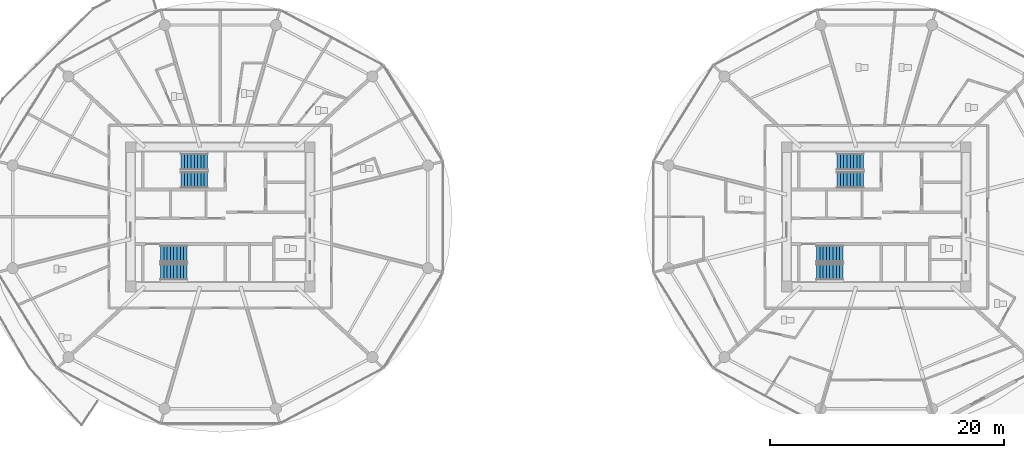
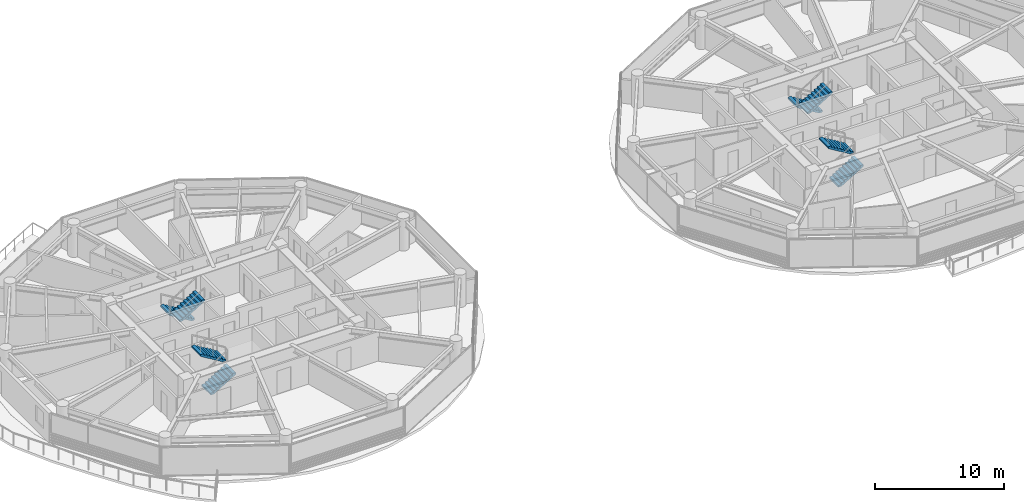
# One storey, part 21 of 27: 8 stair flights, 4 elements without a shape of their own.
"""IFC4 building model written with IfcOpenShell, lengths in metres."""

from ifc_helpers import new_model, si_unit, direction, frame, origin, place, context, subcontext, project, spatial, polyline, outline, extrude, material, type_object, element, aggregate, save


model = new_model("IFC4")

# Units and contexts
model_context = context("Model", 3, precision=1e-05, world=origin(), true_north=direction((0.0, 1.0)))
body_context = subcontext(model_context, "Body", "Model", "MODEL_VIEW")
ifc_project = project(units=[si_unit("LENGTHUNIT", "METRE"), si_unit("AREAUNIT", "SQUARE_METRE"), si_unit("VOLUMEUNIT", "CUBIC_METRE"), si_unit("PLANEANGLEUNIT", "RADIAN"), si_unit("MASSUNIT", "GRAM", prefix="KILO")], contexts=[model_context])

# Site, building, storey
site_placement = place(None, origin())
site = spatial("IfcSite", under=ifc_project, at=site_placement, CompositionType="ELEMENT")
building_placement = place(site_placement, origin())
building = spatial("IfcBuilding", under=site, at=building_placement, Name="Norrkilde Senior Care Towers", CompositionType="ELEMENT")
storey_placement = place(building_placement, frame((0.0, 0.0, 36.85009765625)))
storey = spatial("IfcBuildingStorey", under=building, at=storey_placement, Name="L10", CompositionType="ELEMENT", Elevation=36.85009765625)

# Stair, stair flights
ifc_material = material(Name="Concrete C45/55", Category="concrete")
stair_type = type_object("IfcStairType", Name="Core Protected Dogleg Stair Typical 3050", PredefinedType="HALF_TURN_STAIR", material=ifc_material)
stair_1_placement = place(storey_placement, origin())
stair_1 = element("IfcStair", 1, at=stair_1_placement, inside=storey, type_object=stair_type, Name="L10 Protected Core Stair W1", PredefinedType="HALF_TURN_STAIR")
stair_flight_type = type_object("IfcStairFlightType", Name="Core Protected Dogleg Stair Typical 3050 Flight", PredefinedType="STRAIGHT", material=ifc_material)
stair_flight_1_placement = place(storey_placement, frame((-29.10009765625, 4.699951171875, 0.0), z_axis=(0.0, 0.0, 1.0), x_axis=(-1.0, 0.0, 0.0)))
stair_flight_1 = element("IfcStairFlight", 2, at=stair_flight_1_placement, type_object=stair_flight_type, Name="ST-W1 flight 1", NumberOfRisers=9, NumberOfTreads=8, PredefinedType="STRAIGHT", RiserHeight=0.169444444, TreadLength=0.28, context=body_context, shape_type="SweptSolid", body=[
    extrude(outline(polyline([(0.0, 0.0), (0.0, 0.16943359375), (0.280029296875, 0.16943359375), (0.280029296875, 0.3388671875), (0.56005859375, 0.3388671875), (0.56005859375, 0.50830078125), (0.840087890625, 0.50830078125), (0.840087890625, 0.677734375), (1.1201171875, 0.677734375), (1.1201171875, 0.84716796875), (1.39990234375, 0.84716796875), (1.39990234375, 1.0166015625), (1.679931640625, 1.0166015625), (1.679931640625, 1.18603515625), (1.9599609375, 1.18603515625), (1.9599609375, 1.35546875), (2.239990234375, 1.35546875), (2.239990234375, 1.52490234375), (2.239990234375, 1.180419921875), (0.28955078125, 0.0), (0.0, 0.0)])), frame((0.0, 0.699951171875, 0.0), z_axis=(0.0, -1.0, 0.0), x_axis=(1.0, 0.0, 0.0)), (0.0, 0.0, 1.0), 1.39990234375),
])
stair_flight_2_placement = place(storey_placement, frame((-31.340087890625, 3.14990234375, 1.52490234375), z_axis=(0.0, 0.0, 1.0), x_axis=(1.0, 0.0, 0.0)))
stair_flight_2 = element("IfcStairFlight", 3, at=stair_flight_2_placement, type_object=stair_flight_type, Name="ST-W1 flight 2", NumberOfRisers=9, NumberOfTreads=8, PredefinedType="STRAIGHT", RiserHeight=0.169444444, TreadLength=0.28, context=body_context, shape_type="SweptSolid", body=[
    extrude(outline(polyline([(0.0, 0.0), (0.0, 0.16943359375), (0.280029296875, 0.16943359375), (0.280029296875, 0.3388671875), (0.56005859375, 0.3388671875), (0.56005859375, 0.50830078125), (0.840087890625, 0.50830078125), (0.840087890625, 0.677734375), (1.1201171875, 0.677734375), (1.1201171875, 0.84716796875), (1.39990234375, 0.84716796875), (1.39990234375, 1.0166015625), (1.679931640625, 1.0166015625), (1.679931640625, 1.18603515625), (1.9599609375, 1.18603515625), (1.9599609375, 1.35546875), (2.239990234375, 1.35546875), (2.239990234375, 1.52490234375), (2.239990234375, 1.180419921875), (0.28955078125, 0.0), (0.0, 0.0)])), frame((0.0, 0.699951171875, 0.0), z_axis=(0.0, -1.0, 0.0), x_axis=(1.0, 0.0, 0.0)), (0.0, 0.0, 1.0), 1.39990234375),
])
aggregate(stair_1, [stair_flight_1, stair_flight_2])

stair_2_placement = place(storey_placement, origin())
stair_2 = element("IfcStair", 4, at=stair_2_placement, inside=storey, type_object=stair_type, Name="L10 Protected Core Stair W2", PredefinedType="HALF_TURN_STAIR")
stair_flight_3_placement = place(storey_placement, frame((-33.10009765625, -4.699951171875, 0.0), z_axis=(0.0, 0.0, 1.0), x_axis=(1.0, 0.0, 0.0)))
stair_flight_3 = element("IfcStairFlight", 5, at=stair_flight_3_placement, type_object=stair_flight_type, Name="ST-W2 flight 1", NumberOfRisers=9, NumberOfTreads=8, PredefinedType="STRAIGHT", RiserHeight=0.169444444, TreadLength=0.28, context=body_context, shape_type="SweptSolid", body=[
    extrude(outline(polyline([(0.0, 0.0), (0.0, 0.16943359375), (0.280029296875, 0.16943359375), (0.280029296875, 0.3388671875), (0.56005859375, 0.3388671875), (0.56005859375, 0.50830078125), (0.840087890625, 0.50830078125), (0.840087890625, 0.677734375), (1.1201171875, 0.677734375), (1.1201171875, 0.84716796875), (1.39990234375, 0.84716796875), (1.39990234375, 1.0166015625), (1.679931640625, 1.0166015625), (1.679931640625, 1.18603515625), (1.9599609375, 1.18603515625), (1.9599609375, 1.35546875), (2.239990234375, 1.35546875), (2.239990234375, 1.52490234375), (2.239990234375, 1.180419921875), (0.28955078125, 0.0), (0.0, 0.0)])), frame((0.0, 0.699951171875, 0.0), z_axis=(0.0, -1.0, 0.0), x_axis=(1.0, 0.0, 0.0)), (0.0, 0.0, 1.0), 1.39990234375),
])
stair_flight_4_placement = place(storey_placement, frame((-30.860107421875, -3.14990234375, 1.52490234375), z_axis=(0.0, 0.0, 1.0), x_axis=(-1.0, 0.0, 0.0)))
stair_flight_4 = element("IfcStairFlight", 6, at=stair_flight_4_placement, type_object=stair_flight_type, Name="ST-W2 flight 2", NumberOfRisers=9, NumberOfTreads=8, PredefinedType="STRAIGHT", RiserHeight=0.169444444, TreadLength=0.28, context=body_context, shape_type="SweptSolid", body=[
    extrude(outline(polyline([(0.0, 0.0), (0.0, 0.16943359375), (0.280029296875, 0.16943359375), (0.280029296875, 0.3388671875), (0.56005859375, 0.3388671875), (0.56005859375, 0.50830078125), (0.840087890625, 0.50830078125), (0.840087890625, 0.677734375), (1.1201171875, 0.677734375), (1.1201171875, 0.84716796875), (1.39990234375, 0.84716796875), (1.39990234375, 1.0166015625), (1.679931640625, 1.0166015625), (1.679931640625, 1.18603515625), (1.9599609375, 1.18603515625), (1.9599609375, 1.35546875), (2.239990234375, 1.35546875), (2.239990234375, 1.52490234375), (2.239990234375, 1.180419921875), (0.28955078125, 0.0), (0.0, 0.0)])), frame((0.0, 0.699951171875, 0.0), z_axis=(0.0, -1.0, 0.0), x_axis=(1.0, 0.0, 0.0)), (0.0, 0.0, 1.0), 1.39990234375),
])
aggregate(stair_2, [stair_flight_3, stair_flight_4])

stair_3_placement = place(storey_placement, origin())
stair_3 = element("IfcStair", 7, at=stair_3_placement, inside=storey, type_object=stair_type, Name="L10 Protected Core Stair E1", PredefinedType="HALF_TURN_STAIR")
stair_flight_5_placement = place(storey_placement, frame((26.89990234375, 4.699951171875, 0.0), z_axis=(0.0, 0.0, 1.0), x_axis=(-1.0, 0.0, 0.0)))
stair_flight_5 = element("IfcStairFlight", 8, at=stair_flight_5_placement, type_object=stair_flight_type, Name="ST-E1 flight 1", NumberOfRisers=9, NumberOfTreads=8, PredefinedType="STRAIGHT", RiserHeight=0.169444444, TreadLength=0.28, context=body_context, shape_type="SweptSolid", body=[
    extrude(outline(polyline([(0.0, 0.0), (0.0, 0.16943359375), (0.280029296875, 0.16943359375), (0.280029296875, 0.3388671875), (0.56005859375, 0.3388671875), (0.56005859375, 0.50830078125), (0.840087890625, 0.50830078125), (0.840087890625, 0.677734375), (1.1201171875, 0.677734375), (1.1201171875, 0.84716796875), (1.39990234375, 0.84716796875), (1.39990234375, 1.0166015625), (1.679931640625, 1.0166015625), (1.679931640625, 1.18603515625), (1.9599609375, 1.18603515625), (1.9599609375, 1.35546875), (2.239990234375, 1.35546875), (2.239990234375, 1.52490234375), (2.239990234375, 1.180419921875), (0.28955078125, 0.0), (0.0, 0.0)])), frame((0.0, 0.699951171875, 0.0), z_axis=(0.0, -1.0, 0.0), x_axis=(1.0, 0.0, 0.0)), (0.0, 0.0, 1.0), 1.39990234375),
])
stair_flight_6_placement = place(storey_placement, frame((24.659912109375, 3.14990234375, 1.52490234375), z_axis=(0.0, 0.0, 1.0), x_axis=(1.0, 0.0, 0.0)))
stair_flight_6 = element("IfcStairFlight", 9, at=stair_flight_6_placement, type_object=stair_flight_type, Name="ST-E1 flight 2", NumberOfRisers=9, NumberOfTreads=8, PredefinedType="STRAIGHT", RiserHeight=0.169444444, TreadLength=0.28, context=body_context, shape_type="SweptSolid", body=[
    extrude(outline(polyline([(0.0, 0.0), (0.0, 0.16943359375), (0.280029296875, 0.16943359375), (0.280029296875, 0.3388671875), (0.56005859375, 0.3388671875), (0.56005859375, 0.50830078125), (0.840087890625, 0.50830078125), (0.840087890625, 0.677734375), (1.1201171875, 0.677734375), (1.1201171875, 0.84716796875), (1.39990234375, 0.84716796875), (1.39990234375, 1.0166015625), (1.679931640625, 1.0166015625), (1.679931640625, 1.18603515625), (1.9599609375, 1.18603515625), (1.9599609375, 1.35546875), (2.239990234375, 1.35546875), (2.239990234375, 1.52490234375), (2.239990234375, 1.180419921875), (0.28955078125, 0.0), (0.0, 0.0)])), frame((0.0, 0.699951171875, 0.0), z_axis=(0.0, -1.0, 0.0), x_axis=(1.0, 0.0, 0.0)), (0.0, 0.0, 1.0), 1.39990234375),
])
aggregate(stair_3, [stair_flight_5, stair_flight_6])

stair_4_placement = place(storey_placement, origin())
stair_4 = element("IfcStair", 10, at=stair_4_placement, inside=storey, type_object=stair_type, Name="L10 Protected Core Stair E2", PredefinedType="HALF_TURN_STAIR")
stair_flight_7_placement = place(storey_placement, frame((22.89990234375, -4.699951171875, 0.0), z_axis=(0.0, 0.0, 1.0), x_axis=(1.0, 0.0, 0.0)))
stair_flight_7 = element("IfcStairFlight", 11, at=stair_flight_7_placement, type_object=stair_flight_type, Name="ST-E2 flight 1", NumberOfRisers=9, NumberOfTreads=8, PredefinedType="STRAIGHT", RiserHeight=0.169444444, TreadLength=0.28, context=body_context, shape_type="SweptSolid", body=[
    extrude(outline(polyline([(0.0, 0.0), (0.0, 0.16943359375), (0.280029296875, 0.16943359375), (0.280029296875, 0.3388671875), (0.56005859375, 0.3388671875), (0.56005859375, 0.50830078125), (0.840087890625, 0.50830078125), (0.840087890625, 0.677734375), (1.1201171875, 0.677734375), (1.1201171875, 0.84716796875), (1.39990234375, 0.84716796875), (1.39990234375, 1.0166015625), (1.679931640625, 1.0166015625), (1.679931640625, 1.18603515625), (1.9599609375, 1.18603515625), (1.9599609375, 1.35546875), (2.239990234375, 1.35546875), (2.239990234375, 1.52490234375), (2.239990234375, 1.180419921875), (0.28955078125, 0.0), (0.0, 0.0)])), frame((0.0, 0.699951171875, 0.0), z_axis=(0.0, -1.0, 0.0), x_axis=(1.0, 0.0, 0.0)), (0.0, 0.0, 1.0), 1.39990234375),
])
stair_flight_8_placement = place(storey_placement, frame((25.139892578125, -3.14990234375, 1.52490234375), z_axis=(0.0, 0.0, 1.0), x_axis=(-1.0, 0.0, 0.0)))
stair_flight_8 = element("IfcStairFlight", 12, at=stair_flight_8_placement, type_object=stair_flight_type, Name="ST-E2 flight 2", NumberOfRisers=9, NumberOfTreads=8, PredefinedType="STRAIGHT", RiserHeight=0.169444444, TreadLength=0.28, context=body_context, shape_type="SweptSolid", body=[
    extrude(outline(polyline([(0.0, 0.0), (0.0, 0.16943359375), (0.280029296875, 0.16943359375), (0.280029296875, 0.3388671875), (0.56005859375, 0.3388671875), (0.56005859375, 0.50830078125), (0.840087890625, 0.50830078125), (0.840087890625, 0.677734375), (1.1201171875, 0.677734375), (1.1201171875, 0.84716796875), (1.39990234375, 0.84716796875), (1.39990234375, 1.0166015625), (1.679931640625, 1.0166015625), (1.679931640625, 1.18603515625), (1.9599609375, 1.18603515625), (1.9599609375, 1.35546875), (2.239990234375, 1.35546875), (2.239990234375, 1.52490234375), (2.239990234375, 1.180419921875), (0.28955078125, 0.0), (0.0, 0.0)])), frame((0.0, 0.699951171875, 0.0), z_axis=(0.0, -1.0, 0.0), x_axis=(1.0, 0.0, 0.0)), (0.0, 0.0, 1.0), 1.39990234375),
])
aggregate(stair_4, [stair_flight_7, stair_flight_8])

save(model, "model.ifc")
